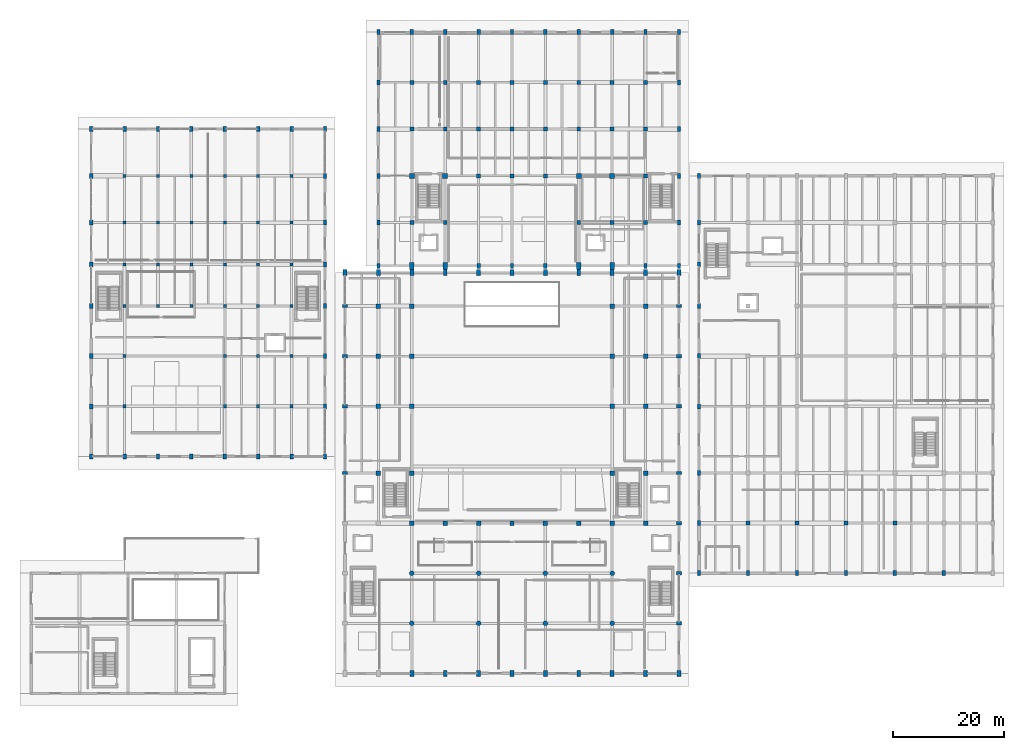
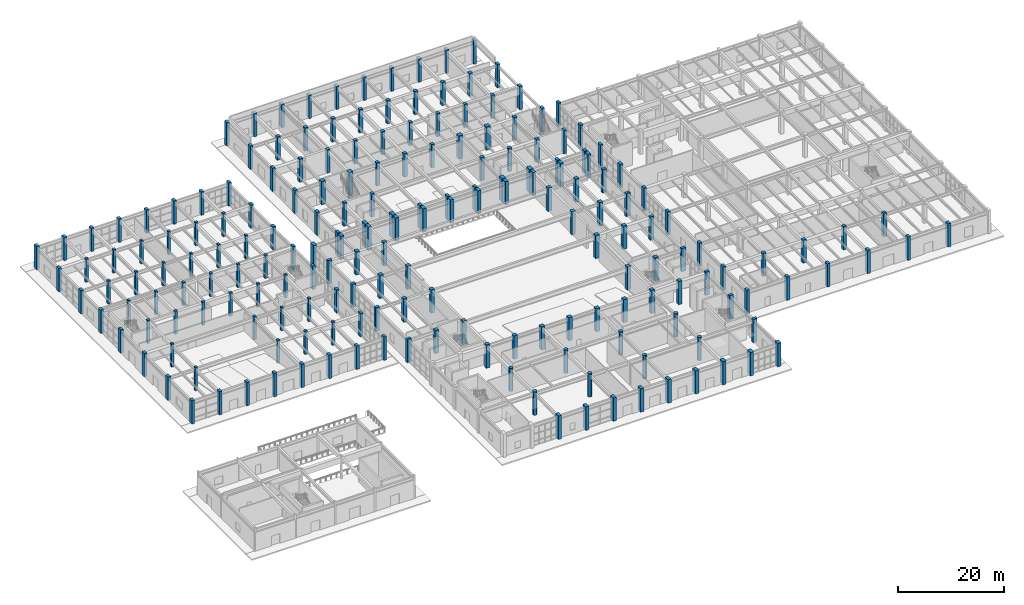
# One storey, part 3 of 91: 198 columns.
"""IFC4 building model written with IfcOpenShell, lengths in metres."""

from ifc_helpers import new_model, si_unit, direction, frame, origin, origin_2d, place, context, subcontext, project, spatial, rectangle, circle, extrude, material, material_profile, profile_set, type_object, element, save


model = new_model("IFC4")

# Units and contexts
model_context = context("Model", 3, precision=1e-05, world=origin(), true_north=direction((0.0, 1.0)))
body_context = subcontext(model_context, "Body", "Model", "MODEL_VIEW")
ifc_project = project(units=[si_unit("LENGTHUNIT", "METRE"), si_unit("AREAUNIT", "SQUARE_METRE"), si_unit("VOLUMEUNIT", "CUBIC_METRE"), si_unit("PLANEANGLEUNIT", "RADIAN"), si_unit("MASSUNIT", "GRAM", prefix="KILO")], contexts=[model_context])

# Site, building, storey
site_placement = place(None, origin())
site = spatial("IfcSite", under=ifc_project, at=site_placement, CompositionType="ELEMENT")
building_placement = place(site_placement, origin())
building = spatial("IfcBuilding", under=site, at=building_placement, Name="Vaelkrest Opera House", CompositionType="ELEMENT")
storey_placement = place(building_placement, origin())
storey = spatial("IfcBuildingStorey", under=building, at=storey_placement, Name="L00", CompositionType="ELEMENT", Elevation=0.0)

# Columns
ifc_material = material(Name="Concrete C50/60", Category="concrete")
ifc_material_profile_1 = material_profile(ifc_material, rectangle(XDim=0.699951171875, YDim=0.699951171875, at=origin_2d()), Name="RC700X700")
ifc_profile_set_1 = profile_set([ifc_material_profile_1], Name="Concrete C50/60")
column_type_1 = type_object("IfcColumnType", Name="C03", PredefinedType="COLUMN", material=ifc_profile_set_1)
for number, where, z_axis, x_axis, name in (
    (1, (-18.0, 25.199951171875, 0.0), (0.0, 0.0, 1.0), (1.0, 0.0, 0.0), "Column COL-V2-L00-0520"),
    (2, (-18.0, 42.0, 0.0), (0.0, 0.0, 1.0), (1.0, 0.0, 0.0), "Column COL-V2-L00-0522"),
    (3, (-18.0, 50.39990234375, 0.0), (0.0, 0.0, 1.0), (1.0, 0.0, 0.0), "Column COL-V2-L00-0523"),
    (4, (-12.0, 25.199951171875, 0.0), (0.0, 0.0, 1.0), (1.0, 0.0, 0.0), "Column COL-V2-L00-0526"),
    (5, (-12.0, 42.0, 0.0), (0.0, 0.0, 1.0), (1.0, 0.0, 0.0), "Column COL-V2-L00-0528"),
    (6, (-12.0, 50.39990234375, 0.0), (0.0, 0.0, 1.0), (1.0, 0.0, 0.0), "Column COL-V2-L00-0529"),
    (7, (-6.0, 33.60009765625, 0.0), (0.0, 0.0, 1.0), (1.0, 0.0, 0.0), "Column COL-V2-L00-0532"),
    (8, (-6.0, 42.0, 0.0), (0.0, 0.0, 1.0), (1.0, 0.0, 0.0), "Column COL-V2-L00-0533"),
    (9, (-6.0, 50.39990234375, 0.0), (0.0, 0.0, 1.0), (1.0, 0.0, 0.0), "Column COL-V2-L00-0534"),
    (10, (0.0, 33.60009765625, 0.0), (0.0, 0.0, 1.0), (1.0, 0.0, 0.0), "Column COL-V2-L00-0537"),
    (11, (0.0, 42.0, 0.0), (0.0, 0.0, 1.0), (1.0, 0.0, 0.0), "Column COL-V2-L00-0538"),
    (12, (0.0, 50.39990234375, 0.0), (0.0, 0.0, 1.0), (1.0, 0.0, 0.0), "Column COL-V2-L00-0539"),
    (13, (6.0, 33.60009765625, 0.0), (0.0, 0.0, 1.0), (1.0, 0.0, 0.0), "Column COL-V2-L00-0542"),
    (14, (6.0, 42.0, 0.0), (0.0, 0.0, 1.0), (1.0, 0.0, 0.0), "Column COL-V2-L00-0543"),
    (15, (6.0, 50.39990234375, 0.0), (0.0, 0.0, 1.0), (1.0, 0.0, 0.0), "Column COL-V2-L00-0544"),
    (16, (12.0, 25.199951171875, 0.0), (0.0, 0.0, 1.0), (1.0, 0.0, 0.0), "Column COL-V2-L00-0547"),
    (17, (12.0, 42.0, 0.0), (0.0, 0.0, 1.0), (1.0, 0.0, 0.0), "Column COL-V2-L00-0549"),
    (18, (12.0, 50.39990234375, 0.0), (0.0, 0.0, 1.0), (1.0, 0.0, 0.0), "Column COL-V2-L00-0550"),
    (19, (18.0, 25.199951171875, 0.0), (0.0, 0.0, 1.0), (1.0, 0.0, 0.0), "Column COL-V2-L00-0553"),
    (20, (18.0, 42.0, 0.0), (0.0, 0.0, 1.0), (1.0, 0.0, 0.0), "Column COL-V2-L00-0555"),
    (21, (18.0, 50.39990234375, 0.0), (0.0, 0.0, 1.0), (1.0, 0.0, 0.0), "Column COL-V2-L00-0556"),
    (22, (24.0, 25.199951171875, 0.0), (0.0, 0.0, 1.0), (1.0, 0.0, 0.0), "Column COL-V2-L00-0559"),
    (23, (24.0, 33.60009765625, 0.0), (0.0, 0.0, 1.0), (1.0, 0.0, 0.0), "Column COL-V2-L00-0560"),
    (24, (24.0, 42.0, 0.0), (0.0, 0.0, 1.0), (1.0, 0.0, 0.0), "Column COL-V2-L00-0561"),
    (25, (24.0, 50.39990234375, 0.0), (0.0, 0.0, 1.0), (1.0, 0.0, 0.0), "Column COL-V2-L00-0562"),
    (26, (42.39990234375, -28.800048828125, 0.0), (0.0, 0.0, 1.0), (1.0, 0.0, 0.0), "Column COL-V4-L00-1191"),
    (27, (51.199951171875, -28.800048828125, 0.0), (0.0, 0.0, 1.0), (1.0, 0.0, 0.0), "Column COL-V4-L00-1200"),
    (28, (60.0, -28.800048828125, 0.0), (0.0, 0.0, 1.0), (1.0, 0.0, 0.0), "Column COL-V4-L00-1209"),
    (29, (68.800048828125, -28.800048828125, 0.0), (0.0, 0.0, 1.0), (1.0, 0.0, 0.0), "Column COL-V4-L00-1216"),
):
    element("IfcColumn", number, at=place(storey_placement, frame(where, z_axis=z_axis, x_axis=x_axis)), inside=storey, type_object=column_type_1, Name=name, PredefinedType="COLUMN", context=body_context, shape_type="SweptSolid", body=[
        extrude(rectangle(XDim=0.699951171875, YDim=0.699951171875, at=origin_2d()), origin(), (0.0, 0.0, 1.0), 5.39990234375),
    ])
ifc_material_profile_2 = material_profile(ifc_material, rectangle(XDim=0.800048828125, YDim=0.800048828125, at=origin_2d()), Name="RC800X800")
ifc_profile_set_2 = profile_set([ifc_material_profile_2], Name="Concrete C50/60")
column_type_2 = type_object("IfcColumnType", Name="C04", PredefinedType="COLUMN", material=ifc_profile_set_2)
for number, where, z_axis, x_axis, name in (
    (30, (-24.0, -19.800048828125, 0.0), (0.0, 0.0, 1.0), (1.0, 0.0, 0.0), "Column COL-V1-L00-0081"),
    (31, (-24.0, -7.800048828125, 0.0), (0.0, 0.0, 1.0), (1.0, 0.0, 0.0), "Column COL-V1-L00-0082"),
    (32, (-24.0, 1.199951171875, 0.0), (0.0, 0.0, 1.0), (1.0, 0.0, 0.0), "Column COL-V1-L00-0083"),
    (33, (-24.0, 10.199951171875, 0.0), (0.0, 0.0, 1.0), (1.0, 0.0, 0.0), "Column COL-V1-L00-0084"),
    (34, (-18.0, -28.800048828125, 0.0), (0.0, 0.0, 1.0), (1.0, 0.0, 0.0), "Column COL-V1-L00-0089"),
    (35, (-18.0, -19.800048828125, 0.0), (0.0, 0.0, 1.0), (1.0, 0.0, 0.0), "Column COL-V1-L00-0090"),
    (36, (-18.0, -7.800048828125, 0.0), (0.0, 0.0, 1.0), (1.0, 0.0, 0.0), "Column COL-V1-L00-0091"),
    (37, (-18.0, 1.199951171875, 0.0), (0.0, 0.0, 1.0), (1.0, 0.0, 0.0), "Column COL-V1-L00-0092"),
    (38, (-18.0, 10.199951171875, 0.0), (0.0, 0.0, 1.0), (1.0, 0.0, 0.0), "Column COL-V1-L00-0093"),
    (39, (-12.0, -28.800048828125, 0.0), (0.0, 0.0, 1.0), (1.0, 0.0, 0.0), "Column COL-V1-L00-0096"),
    (40, (-6.0, -28.800048828125, 0.0), (0.0, 0.0, 1.0), (1.0, 0.0, 0.0), "Column COL-V1-L00-0101"),
    (41, (0.0, -28.800048828125, 0.0), (0.0, 0.0, 1.0), (1.0, 0.0, 0.0), "Column COL-V1-L00-0104"),
    (42, (6.0, -28.800048828125, 0.0), (0.0, 0.0, 1.0), (1.0, 0.0, 0.0), "Column COL-V1-L00-0109"),
    (43, (12.0, -28.800048828125, 0.0), (0.0, 0.0, 1.0), (1.0, 0.0, 0.0), "Column COL-V1-L00-0112"),
    (44, (18.0, -28.800048828125, 0.0), (0.0, 0.0, 1.0), (1.0, 0.0, 0.0), "Column COL-V1-L00-0117"),
    (45, (18.0, -19.800048828125, 0.0), (0.0, 0.0, 1.0), (1.0, 0.0, 0.0), "Column COL-V1-L00-0118"),
    (46, (18.0, -7.800048828125, 0.0), (0.0, 0.0, 1.0), (1.0, 0.0, 0.0), "Column COL-V1-L00-0119"),
    (47, (18.0, 1.199951171875, 0.0), (0.0, 0.0, 1.0), (1.0, 0.0, 0.0), "Column COL-V1-L00-0120"),
    (48, (18.0, 10.199951171875, 0.0), (0.0, 0.0, 1.0), (1.0, 0.0, 0.0), "Column COL-V1-L00-0121"),
    (49, (24.0, -28.800048828125, 0.0), (0.0, 0.0, 1.0), (1.0, 0.0, 0.0), "Column COL-V1-L00-0124"),
    (50, (24.0, -19.800048828125, 0.0), (0.0, 0.0, 1.0), (1.0, 0.0, 0.0), "Column COL-V1-L00-0125"),
    (51, (24.0, -7.800048828125, 0.0), (0.0, 0.0, 1.0), (1.0, 0.0, 0.0), "Column COL-V1-L00-0126"),
    (52, (24.0, 1.199951171875, 0.0), (0.0, 0.0, 1.0), (1.0, 0.0, 0.0), "Column COL-V1-L00-0127"),
    (53, (24.0, 10.199951171875, 0.0), (0.0, 0.0, 1.0), (1.0, 0.0, 0.0), "Column COL-V1-L00-0128"),
):
    element("IfcColumn", number, at=place(storey_placement, frame(where, z_axis=z_axis, x_axis=x_axis)), inside=storey, type_object=column_type_2, Name=name, PredefinedType="COLUMN", context=body_context, shape_type="SweptSolid", body=[
        extrude(rectangle(XDim=0.800048828125, YDim=0.800048828125, at=origin_2d()), origin(), (0.0, 0.0, 1.0), 5.39990234375),
    ])
ifc_material_profile_3 = material_profile(ifc_material, rectangle(XDim=0.89990234375, YDim=0.89990234375, at=origin_2d()), Name="RC900X900")
ifc_profile_set_3 = profile_set([ifc_material_profile_3], Name="Concrete C50/60")
column_type_3 = type_object("IfcColumnType", Name="C05", PredefinedType="COLUMN", material=ifc_profile_set_3)
for number, where, z_axis, x_axis, name in (
    (54, (-18.0, 33.60009765625, 0.0), (0.0, 0.0, 1.0), (1.0, 0.0, 0.0), "Column COL-V2-L00-0521"),
    (55, (-12.0, 33.60009765625, 0.0), (0.0, 0.0, 1.0), (1.0, 0.0, 0.0), "Column COL-V2-L00-0527"),
    (56, (12.0, 33.60009765625, 0.0), (0.0, 0.0, 1.0), (1.0, 0.0, 0.0), "Column COL-V2-L00-0548"),
    (57, (18.0, 33.60009765625, 0.0), (0.0, 0.0, 1.0), (1.0, 0.0, 0.0), "Column COL-V2-L00-0554"),
):
    element("IfcColumn", number, at=place(storey_placement, frame(where, z_axis=z_axis, x_axis=x_axis)), inside=storey, type_object=column_type_3, Name=name, PredefinedType="COLUMN", context=body_context, shape_type="SweptSolid", body=[
        extrude(rectangle(XDim=0.89990234375, YDim=0.89990234375, at=origin_2d()), origin(), (0.0, 0.0, 1.0), 5.39990234375),
    ])
ifc_material_profile_4 = material_profile(ifc_material, rectangle(XDim=0.60009765625, YDim=0.89990234375, at=origin_2d()), Name="RC600X900")
ifc_profile_set_4 = profile_set([ifc_material_profile_4], Name="Concrete C50/60")
column_type_4 = type_object("IfcColumnType", Name="C06", PredefinedType="COLUMN", material=ifc_profile_set_4)
for number, where, z_axis, x_axis, name in (
    (58, (-30.0, -19.800048828125, 0.0), (0.0, 0.0, 1.0), (0.0, 1.0, 0.0), "Column COL-V1-L00-0074"),
    (59, (-30.0, -7.800048828125, 0.0), (0.0, 0.0, 1.0), (0.0, 1.0, 0.0), "Column COL-V1-L00-0075"),
    (60, (-30.0, 1.199951171875, 0.0), (0.0, 0.0, 1.0), (0.0, 1.0, 0.0), "Column COL-V1-L00-0076"),
    (61, (-30.0, 10.199951171875, 0.0), (0.0, 0.0, 1.0), (0.0, 1.0, 0.0), "Column COL-V1-L00-0077"),
    (62, (30.0, -46.800048828125, 0.0), (0.0, 0.0, 1.0), (0.0, 1.0, 0.0), "Column COL-V1-L00-0131"),
    (63, (30.0, -37.800048828125, 0.0), (0.0, 0.0, 1.0), (0.0, 1.0, 0.0), "Column COL-V1-L00-0132"),
    (64, (30.0, -28.800048828125, 0.0), (0.0, 0.0, 1.0), (0.0, 1.0, 0.0), "Column COL-V1-L00-0133"),
    (65, (30.0, -19.800048828125, 0.0), (0.0, 0.0, 1.0), (0.0, 1.0, 0.0), "Column COL-V1-L00-0134"),
    (66, (30.0, -7.800048828125, 0.0), (0.0, 0.0, 1.0), (0.0, 1.0, 0.0), "Column COL-V1-L00-0135"),
    (67, (30.0, 1.199951171875, 0.0), (0.0, 0.0, 1.0), (0.0, 1.0, 0.0), "Column COL-V1-L00-0136"),
    (68, (30.0, 10.199951171875, 0.0), (0.0, 0.0, 1.0), (0.0, 1.0, 0.0), "Column COL-V1-L00-0137"),
    (69, (-24.0, 17.39990234375, 0.0), (0.0, 0.0, 1.0), (1.0, 0.0, 0.0), "Column COL-V2-L00-0513"),
    (70, (-24.0, 25.199951171875, 0.0), (0.0, 0.0, 1.0), (1.0, 0.0, 0.0), "Column COL-V2-L00-0514"),
    (71, (-24.0, 33.60009765625, 0.0), (0.0, 0.0, 1.0), (1.0, 0.0, 0.0), "Column COL-V2-L00-0515"),
    (72, (-24.0, 42.0, 0.0), (0.0, 0.0, 1.0), (1.0, 0.0, 0.0), "Column COL-V2-L00-0516"),
    (73, (-24.0, 50.39990234375, 0.0), (0.0, 0.0, 1.0), (1.0, 0.0, 0.0), "Column COL-V2-L00-0517"),
    (74, (-24.0, 59.39990234375, 0.0), (0.0, 0.0, 1.0), (1.0, 0.0, 0.0), "Column COL-V2-L00-0518"),
    (75, (-18.0, 59.39990234375, 0.0), (0.0, 0.0, 1.0), (1.0, 0.0, 0.0), "Column COL-V2-L00-0524"),
    (76, (-12.0, 59.39990234375, 0.0), (0.0, 0.0, 1.0), (1.0, 0.0, 0.0), "Column COL-V2-L00-0530"),
    (77, (-6.0, 17.39990234375, 0.0), (0.0, 0.0, 1.0), (1.0, 0.0, 0.0), "Column COL-V2-L00-0531"),
    (78, (-6.0, 59.39990234375, 0.0), (0.0, 0.0, 1.0), (1.0, 0.0, 0.0), "Column COL-V2-L00-0535"),
    (79, (0.0, 17.39990234375, 0.0), (0.0, 0.0, 1.0), (1.0, 0.0, 0.0), "Column COL-V2-L00-0536"),
    (80, (0.0, 59.39990234375, 0.0), (0.0, 0.0, 1.0), (1.0, 0.0, 0.0), "Column COL-V2-L00-0540"),
    (81, (6.0, 17.39990234375, 0.0), (0.0, 0.0, 1.0), (1.0, 0.0, 0.0), "Column COL-V2-L00-0541"),
    (82, (6.0, 59.39990234375, 0.0), (0.0, 0.0, 1.0), (1.0, 0.0, 0.0), "Column COL-V2-L00-0545"),
    (83, (12.0, 59.39990234375, 0.0), (0.0, 0.0, 1.0), (1.0, 0.0, 0.0), "Column COL-V2-L00-0551"),
    (84, (18.0, 59.39990234375, 0.0), (0.0, 0.0, 1.0), (1.0, 0.0, 0.0), "Column COL-V2-L00-0557"),
    (85, (24.0, 17.39990234375, 0.0), (0.0, 0.0, 1.0), (1.0, 0.0, 0.0), "Column COL-V2-L00-0558"),
    (86, (24.0, 59.39990234375, 0.0), (0.0, 0.0, 1.0), (1.0, 0.0, 0.0), "Column COL-V2-L00-0563"),
    (87, (30.0, 17.39990234375, 0.0), (0.0, 0.0, 1.0), (1.0, 0.0, 0.0), "Column COL-V2-L00-0564"),
    (88, (30.0, 25.199951171875, 0.0), (0.0, 0.0, 1.0), (1.0, 0.0, 0.0), "Column COL-V2-L00-0565"),
    (89, (30.0, 33.60009765625, 0.0), (0.0, 0.0, 1.0), (1.0, 0.0, 0.0), "Column COL-V2-L00-0566"),
    (90, (30.0, 42.0, 0.0), (0.0, 0.0, 1.0), (1.0, 0.0, 0.0), "Column COL-V2-L00-0567"),
    (91, (30.0, 50.39990234375, 0.0), (0.0, 0.0, 1.0), (1.0, 0.0, 0.0), "Column COL-V2-L00-0568"),
    (92, (30.0, 59.39990234375, 0.0), (0.0, 0.0, 1.0), (1.0, 0.0, 0.0), "Column COL-V2-L00-0569"),
    (93, (-75.60009765625, -16.800048828125, 0.0), (0.0, 0.0, 1.0), (1.0, 0.0, 0.0), "Column COL-V3-L00-0884"),
    (94, (-75.60009765625, -7.800048828125, 0.0), (0.0, 0.0, 1.0), (1.0, 0.0, 0.0), "Column COL-V3-L00-0885"),
    (95, (-75.60009765625, 1.199951171875, 0.0), (0.0, 0.0, 1.0), (1.0, 0.0, 0.0), "Column COL-V3-L00-0886"),
    (96, (-75.60009765625, 10.199951171875, 0.0), (0.0, 0.0, 1.0), (1.0, 0.0, 0.0), "Column COL-V3-L00-0887"),
    (97, (-75.60009765625, 17.699951171875, 0.0), (0.0, 0.0, 1.0), (1.0, 0.0, 0.0), "Column COL-V3-L00-0888"),
    (98, (-75.60009765625, 25.199951171875, 0.0), (0.0, 0.0, 1.0), (1.0, 0.0, 0.0), "Column COL-V3-L00-0889"),
    (99, (-75.60009765625, 33.60009765625, 0.0), (0.0, 0.0, 1.0), (1.0, 0.0, 0.0), "Column COL-V3-L00-0890"),
    (100, (-75.60009765625, 42.0, 0.0), (0.0, 0.0, 1.0), (1.0, 0.0, 0.0), "Column COL-V3-L00-0891"),
    (101, (-69.60009765625, -16.800048828125, 0.0), (0.0, 0.0, 1.0), (1.0, 0.0, 0.0), "Column COL-V3-L00-0892"),
    (102, (-69.60009765625, 42.0, 0.0), (0.0, 0.0, 1.0), (1.0, 0.0, 0.0), "Column COL-V3-L00-0899"),
    (103, (-63.60009765625, -16.800048828125, 0.0), (0.0, 0.0, 1.0), (1.0, 0.0, 0.0), "Column COL-V3-L00-0900"),
    (104, (-63.60009765625, 42.0, 0.0), (0.0, 0.0, 1.0), (1.0, 0.0, 0.0), "Column COL-V3-L00-0905"),
    (105, (-57.60009765625, -16.800048828125, 0.0), (0.0, 0.0, 1.0), (1.0, 0.0, 0.0), "Column COL-V3-L00-0906"),
    (106, (-57.60009765625, 42.0, 0.0), (0.0, 0.0, 1.0), (1.0, 0.0, 0.0), "Column COL-V3-L00-0911"),
    (107, (-51.60009765625, -16.800048828125, 0.0), (0.0, 0.0, 1.0), (1.0, 0.0, 0.0), "Column COL-V3-L00-0912"),
    (108, (-51.60009765625, 42.0, 0.0), (0.0, 0.0, 1.0), (1.0, 0.0, 0.0), "Column COL-V3-L00-0919"),
    (109, (-45.60009765625, -16.800048828125, 0.0), (0.0, 0.0, 1.0), (1.0, 0.0, 0.0), "Column COL-V3-L00-0920"),
    (110, (-45.60009765625, 42.0, 0.0), (0.0, 0.0, 1.0), (1.0, 0.0, 0.0), "Column COL-V3-L00-0927"),
    (111, (-39.60009765625, -16.800048828125, 0.0), (0.0, 0.0, 1.0), (1.0, 0.0, 0.0), "Column COL-V3-L00-0928"),
    (112, (-39.60009765625, 42.0, 0.0), (0.0, 0.0, 1.0), (1.0, 0.0, 0.0), "Column COL-V3-L00-0935"),
    (113, (-33.60009765625, -16.800048828125, 0.0), (0.0, 0.0, 1.0), (1.0, 0.0, 0.0), "Column COL-V3-L00-0936"),
    (114, (-33.60009765625, -7.800048828125, 0.0), (0.0, 0.0, 1.0), (1.0, 0.0, 0.0), "Column COL-V3-L00-0937"),
    (115, (-33.60009765625, 1.199951171875, 0.0), (0.0, 0.0, 1.0), (1.0, 0.0, 0.0), "Column COL-V3-L00-0938"),
    (116, (-33.60009765625, 10.199951171875, 0.0), (0.0, 0.0, 1.0), (1.0, 0.0, 0.0), "Column COL-V3-L00-0939"),
    (117, (-33.60009765625, 17.699951171875, 0.0), (0.0, 0.0, 1.0), (1.0, 0.0, 0.0), "Column COL-V3-L00-0940"),
    (118, (-33.60009765625, 25.199951171875, 0.0), (0.0, 0.0, 1.0), (1.0, 0.0, 0.0), "Column COL-V3-L00-0941"),
    (119, (-33.60009765625, 33.60009765625, 0.0), (0.0, 0.0, 1.0), (1.0, 0.0, 0.0), "Column COL-V3-L00-0942"),
    (120, (-33.60009765625, 42.0, 0.0), (0.0, 0.0, 1.0), (1.0, 0.0, 0.0), "Column COL-V3-L00-0943"),
    (121, (33.60009765625, -37.800048828125, 0.0), (0.0, 0.0, 1.0), (1.0, 0.0, 0.0), "Column COL-V4-L00-1181"),
    (122, (33.60009765625, -28.800048828125, 0.0), (0.0, 0.0, 1.0), (1.0, 0.0, 0.0), "Column COL-V4-L00-1182"),
    (123, (33.60009765625, -19.800048828125, 0.0), (0.0, 0.0, 1.0), (1.0, 0.0, 0.0), "Column COL-V4-L00-1183"),
    (124, (33.60009765625, -7.800048828125, 0.0), (0.0, 0.0, 1.0), (1.0, 0.0, 0.0), "Column COL-V4-L00-1184"),
    (125, (33.60009765625, 1.199951171875, 0.0), (0.0, 0.0, 1.0), (1.0, 0.0, 0.0), "Column COL-V4-L00-1185"),
    (126, (33.60009765625, 10.199951171875, 0.0), (0.0, 0.0, 1.0), (1.0, 0.0, 0.0), "Column COL-V4-L00-1186"),
    (127, (33.60009765625, 17.699951171875, 0.0), (0.0, 0.0, 1.0), (1.0, 0.0, 0.0), "Column COL-V4-L00-1187"),
    (128, (33.60009765625, 25.199951171875, 0.0), (0.0, 0.0, 1.0), (1.0, 0.0, 0.0), "Column COL-V4-L00-1188"),
    (129, (33.60009765625, 33.60009765625, 0.0), (0.0, 0.0, 1.0), (1.0, 0.0, 0.0), "Column COL-V4-L00-1189"),
    (130, (42.39990234375, -37.800048828125, 0.0), (0.0, 0.0, 1.0), (1.0, 0.0, 0.0), "Column COL-V4-L00-1190"),
    (131, (51.199951171875, -37.800048828125, 0.0), (0.0, 0.0, 1.0), (1.0, 0.0, 0.0), "Column COL-V4-L00-1199"),
    (132, (60.0, -37.800048828125, 0.0), (0.0, 0.0, 1.0), (1.0, 0.0, 0.0), "Column COL-V4-L00-1208"),
    (133, (68.800048828125, -37.800048828125, 0.0), (0.0, 0.0, 1.0), (1.0, 0.0, 0.0), "Column COL-V4-L00-1215"),
    (134, (77.60009765625, -37.800048828125, 0.0), (0.0, 0.0, 1.0), (1.0, 0.0, 0.0), "Column COL-V4-L00-1224"),
):
    element("IfcColumn", number, at=place(storey_placement, frame(where, z_axis=z_axis, x_axis=x_axis)), inside=storey, type_object=column_type_4, Name=name, PredefinedType="COLUMN", context=body_context, shape_type="SweptSolid", body=[
        extrude(rectangle(XDim=0.60009765625, YDim=0.89990234375, at=origin_2d()), origin(), (0.0, 0.0, 1.0), 5.39990234375),
    ])
ifc_material_profile_5 = material_profile(ifc_material, rectangle(XDim=0.699951171875, YDim=1.10009765625, at=origin_2d()), Name="RC700X1100")
ifc_profile_set_5 = profile_set([ifc_material_profile_5], Name="Concrete C50/60")
column_type_5 = type_object("IfcColumnType", Name="C07", PredefinedType="COLUMN", material=ifc_profile_set_5)
for number, where, z_axis, x_axis, name in (
    (135, (-30.0, 16.199951171875, 0.0), (0.0, 0.0, 1.0), (1.0, 0.0, 0.0), "Column COL-V1-L00-0078"),
    (136, (-24.0, 16.199951171875, 0.0), (0.0, 0.0, 1.0), (1.0, 0.0, 0.0), "Column COL-V1-L00-0085"),
    (137, (-18.0, -55.800048828125, 0.0), (0.0, 0.0, 1.0), (1.0, 0.0, 0.0), "Column COL-V1-L00-0086"),
    (138, (-18.0, 16.199951171875, 0.0), (0.0, 0.0, 1.0), (1.0, 0.0, 0.0), "Column COL-V1-L00-0094"),
    (139, (-12.0, -55.800048828125, 0.0), (0.0, 0.0, 1.0), (1.0, 0.0, 0.0), "Column COL-V1-L00-0095"),
    (140, (-12.0, 16.199951171875, 0.0), (0.0, 0.0, 1.0), (1.0, 0.0, 0.0), "Column COL-V1-L00-0097"),
    (141, (-6.0, -55.800048828125, 0.0), (0.0, 0.0, 1.0), (1.0, 0.0, 0.0), "Column COL-V1-L00-0098"),
    (142, (-6.0, 16.199951171875, 0.0), (0.0, 0.0, 1.0), (1.0, 0.0, 0.0), "Column COL-V1-L00-0102"),
    (143, (0.0, -55.800048828125, 0.0), (0.0, 0.0, 1.0), (1.0, 0.0, 0.0), "Column COL-V1-L00-0103"),
    (144, (0.0, 16.199951171875, 0.0), (0.0, 0.0, 1.0), (1.0, 0.0, 0.0), "Column COL-V1-L00-0105"),
    (145, (6.0, -55.800048828125, 0.0), (0.0, 0.0, 1.0), (1.0, 0.0, 0.0), "Column COL-V1-L00-0106"),
    (146, (6.0, 16.199951171875, 0.0), (0.0, 0.0, 1.0), (1.0, 0.0, 0.0), "Column COL-V1-L00-0110"),
    (147, (12.0, -55.800048828125, 0.0), (0.0, 0.0, 1.0), (1.0, 0.0, 0.0), "Column COL-V1-L00-0111"),
    (148, (12.0, 16.199951171875, 0.0), (0.0, 0.0, 1.0), (1.0, 0.0, 0.0), "Column COL-V1-L00-0113"),
    (149, (18.0, -55.800048828125, 0.0), (0.0, 0.0, 1.0), (1.0, 0.0, 0.0), "Column COL-V1-L00-0114"),
    (150, (18.0, 16.199951171875, 0.0), (0.0, 0.0, 1.0), (1.0, 0.0, 0.0), "Column COL-V1-L00-0122"),
    (151, (24.0, -55.800048828125, 0.0), (0.0, 0.0, 1.0), (1.0, 0.0, 0.0), "Column COL-V1-L00-0123"),
    (152, (24.0, 16.199951171875, 0.0), (0.0, 0.0, 1.0), (1.0, 0.0, 0.0), "Column COL-V1-L00-0129"),
    (153, (30.0, -55.800048828125, 0.0), (0.0, 0.0, 1.0), (1.0, 0.0, 0.0), "Column COL-V1-L00-0130"),
    (154, (30.0, 16.199951171875, 0.0), (0.0, 0.0, 1.0), (1.0, 0.0, 0.0), "Column COL-V1-L00-0138"),
):
    element("IfcColumn", number, at=place(storey_placement, frame(where, z_axis=z_axis, x_axis=x_axis)), inside=storey, type_object=column_type_5, Name=name, PredefinedType="COLUMN", context=body_context, shape_type="SweptSolid", body=[
        extrude(rectangle(XDim=0.699951171875, YDim=1.10009765625, at=origin_2d()), origin(), (0.0, 0.0, 1.0), 5.39990234375),
    ])
ifc_material_profile_6 = material_profile(ifc_material, rectangle(XDim=0.800048828125, YDim=1.199951171875, at=origin_2d()), Name="RC800X1200")
ifc_profile_set_6 = profile_set([ifc_material_profile_6], Name="Concrete C50/60")
column_type_6 = type_object("IfcColumnType", Name="C08", PredefinedType="COLUMN", material=ifc_profile_set_6)
for number, where, z_axis, x_axis, name in (
    (155, (-18.0, 17.39990234375, 0.0), (0.0, 0.0, 1.0), (1.0, 0.0, 0.0), "Column COL-V2-L00-0519"),
    (156, (-12.0, 17.39990234375, 0.0), (0.0, 0.0, 1.0), (1.0, 0.0, 0.0), "Column COL-V2-L00-0525"),
    (157, (12.0, 17.39990234375, 0.0), (0.0, 0.0, 1.0), (1.0, 0.0, 0.0), "Column COL-V2-L00-0546"),
    (158, (18.0, 17.39990234375, 0.0), (0.0, 0.0, 1.0), (1.0, 0.0, 0.0), "Column COL-V2-L00-0552"),
):
    element("IfcColumn", number, at=place(storey_placement, frame(where, z_axis=z_axis, x_axis=x_axis)), inside=storey, type_object=column_type_6, Name=name, PredefinedType="COLUMN", context=body_context, shape_type="SweptSolid", body=[
        extrude(rectangle(XDim=0.800048828125, YDim=1.199951171875, at=origin_2d()), origin(), (0.0, 0.0, 1.0), 5.39990234375),
    ])
ifc_material_profile_7 = material_profile(ifc_material, circle(Radius=0.425048828125, at=origin_2d()), Name="RCD850")
ifc_profile_set_7 = profile_set([ifc_material_profile_7], Name="Concrete C50/60")
column_type_7 = type_object("IfcColumnType", Name="C10", PredefinedType="COLUMN", material=ifc_profile_set_7)
for number, where, z_axis, x_axis, name in (
    (159, (-18.0, -46.800048828125, 0.0), (0.0, 0.0, 1.0), (1.0, 0.0, 0.0), "Column COL-V1-L00-0087"),
    (160, (-18.0, -37.800048828125, 0.0), (0.0, 0.0, 1.0), (1.0, 0.0, 0.0), "Column COL-V1-L00-0088"),
    (161, (-6.0, -46.800048828125, 0.0), (0.0, 0.0, 1.0), (1.0, 0.0, 0.0), "Column COL-V1-L00-0099"),
    (162, (-6.0, -37.800048828125, 0.0), (0.0, 0.0, 1.0), (1.0, 0.0, 0.0), "Column COL-V1-L00-0100"),
    (163, (6.0, -46.800048828125, 0.0), (0.0, 0.0, 1.0), (1.0, 0.0, 0.0), "Column COL-V1-L00-0107"),
    (164, (6.0, -37.800048828125, 0.0), (0.0, 0.0, 1.0), (1.0, 0.0, 0.0), "Column COL-V1-L00-0108"),
    (165, (18.0, -46.800048828125, 0.0), (0.0, 0.0, 1.0), (1.0, 0.0, 0.0), "Column COL-V1-L00-0115"),
    (166, (18.0, -37.800048828125, 0.0), (0.0, 0.0, 1.0), (1.0, 0.0, 0.0), "Column COL-V1-L00-0116"),
):
    element("IfcColumn", number, at=place(storey_placement, frame(where, z_axis=z_axis, x_axis=x_axis)), inside=storey, type_object=column_type_7, Name=name, PredefinedType="COLUMN", context=body_context, shape_type="SweptSolid", body=[
        extrude(circle(Radius=0.425048828125, at=origin_2d()), origin(), (0.0, 0.0, 1.0), 5.39990234375),
    ])
ifc_material_profile_8 = material_profile(ifc_material, rectangle(XDim=0.550048828125, YDim=0.550048828125, at=origin_2d()), Name="RC550X550")
ifc_profile_set_8 = profile_set([ifc_material_profile_8], Name="Concrete C50/60")
column_type_8 = type_object("IfcColumnType", Name="C13", PredefinedType="COLUMN", material=ifc_profile_set_8)
for number, where, z_axis, x_axis, name in (
    (167, (-69.60009765625, -7.800048828125, 0.0), (0.0, 0.0, 1.0), (1.0, 0.0, 0.0), "Column COL-V3-L00-0893"),
    (168, (-69.60009765625, 1.199951171875, 0.0), (0.0, 0.0, 1.0), (1.0, 0.0, 0.0), "Column COL-V3-L00-0894"),
    (169, (-69.60009765625, 10.199951171875, 0.0), (0.0, 0.0, 1.0), (1.0, 0.0, 0.0), "Column COL-V3-L00-0895"),
    (170, (-69.60009765625, 17.699951171875, 0.0), (0.0, 0.0, 1.0), (1.0, 0.0, 0.0), "Column COL-V3-L00-0896"),
    (171, (-69.60009765625, 25.199951171875, 0.0), (0.0, 0.0, 1.0), (1.0, 0.0, 0.0), "Column COL-V3-L00-0897"),
    (172, (-69.60009765625, 33.60009765625, 0.0), (0.0, 0.0, 1.0), (1.0, 0.0, 0.0), "Column COL-V3-L00-0898"),
    (173, (-63.60009765625, 10.199951171875, 0.0), (0.0, 0.0, 1.0), (1.0, 0.0, 0.0), "Column COL-V3-L00-0901"),
    (174, (-63.60009765625, 17.699951171875, 0.0), (0.0, 0.0, 1.0), (1.0, 0.0, 0.0), "Column COL-V3-L00-0902"),
    (175, (-63.60009765625, 25.199951171875, 0.0), (0.0, 0.0, 1.0), (1.0, 0.0, 0.0), "Column COL-V3-L00-0903"),
    (176, (-63.60009765625, 33.60009765625, 0.0), (0.0, 0.0, 1.0), (1.0, 0.0, 0.0), "Column COL-V3-L00-0904"),
    (177, (-57.60009765625, 10.199951171875, 0.0), (0.0, 0.0, 1.0), (1.0, 0.0, 0.0), "Column COL-V3-L00-0907"),
    (178, (-57.60009765625, 17.699951171875, 0.0), (0.0, 0.0, 1.0), (1.0, 0.0, 0.0), "Column COL-V3-L00-0908"),
    (179, (-57.60009765625, 25.199951171875, 0.0), (0.0, 0.0, 1.0), (1.0, 0.0, 0.0), "Column COL-V3-L00-0909"),
    (180, (-57.60009765625, 33.60009765625, 0.0), (0.0, 0.0, 1.0), (1.0, 0.0, 0.0), "Column COL-V3-L00-0910"),
    (181, (-51.60009765625, -7.800048828125, 0.0), (0.0, 0.0, 1.0), (1.0, 0.0, 0.0), "Column COL-V3-L00-0913"),
    (182, (-51.60009765625, 1.199951171875, 0.0), (0.0, 0.0, 1.0), (1.0, 0.0, 0.0), "Column COL-V3-L00-0914"),
    (183, (-51.60009765625, 10.199951171875, 0.0), (0.0, 0.0, 1.0), (1.0, 0.0, 0.0), "Column COL-V3-L00-0915"),
    (184, (-51.60009765625, 17.699951171875, 0.0), (0.0, 0.0, 1.0), (1.0, 0.0, 0.0), "Column COL-V3-L00-0916"),
    (185, (-51.60009765625, 25.199951171875, 0.0), (0.0, 0.0, 1.0), (1.0, 0.0, 0.0), "Column COL-V3-L00-0917"),
    (186, (-51.60009765625, 33.60009765625, 0.0), (0.0, 0.0, 1.0), (1.0, 0.0, 0.0), "Column COL-V3-L00-0918"),
    (187, (-45.60009765625, -7.800048828125, 0.0), (0.0, 0.0, 1.0), (1.0, 0.0, 0.0), "Column COL-V3-L00-0921"),
    (188, (-45.60009765625, 1.199951171875, 0.0), (0.0, 0.0, 1.0), (1.0, 0.0, 0.0), "Column COL-V3-L00-0922"),
    (189, (-45.60009765625, 10.199951171875, 0.0), (0.0, 0.0, 1.0), (1.0, 0.0, 0.0), "Column COL-V3-L00-0923"),
    (190, (-45.60009765625, 17.699951171875, 0.0), (0.0, 0.0, 1.0), (1.0, 0.0, 0.0), "Column COL-V3-L00-0924"),
    (191, (-45.60009765625, 25.199951171875, 0.0), (0.0, 0.0, 1.0), (1.0, 0.0, 0.0), "Column COL-V3-L00-0925"),
    (192, (-45.60009765625, 33.60009765625, 0.0), (0.0, 0.0, 1.0), (1.0, 0.0, 0.0), "Column COL-V3-L00-0926"),
    (193, (-39.60009765625, -7.800048828125, 0.0), (0.0, 0.0, 1.0), (1.0, 0.0, 0.0), "Column COL-V3-L00-0929"),
    (194, (-39.60009765625, 1.199951171875, 0.0), (0.0, 0.0, 1.0), (1.0, 0.0, 0.0), "Column COL-V3-L00-0930"),
    (195, (-39.60009765625, 10.199951171875, 0.0), (0.0, 0.0, 1.0), (1.0, 0.0, 0.0), "Column COL-V3-L00-0931"),
    (196, (-39.60009765625, 17.699951171875, 0.0), (0.0, 0.0, 1.0), (1.0, 0.0, 0.0), "Column COL-V3-L00-0932"),
    (197, (-39.60009765625, 25.199951171875, 0.0), (0.0, 0.0, 1.0), (1.0, 0.0, 0.0), "Column COL-V3-L00-0933"),
    (198, (-39.60009765625, 33.60009765625, 0.0), (0.0, 0.0, 1.0), (1.0, 0.0, 0.0), "Column COL-V3-L00-0934"),
):
    element("IfcColumn", number, at=place(storey_placement, frame(where, z_axis=z_axis, x_axis=x_axis)), inside=storey, type_object=column_type_8, Name=name, PredefinedType="COLUMN", context=body_context, shape_type="SweptSolid", body=[
        extrude(rectangle(XDim=0.550048828125, YDim=0.550048828125, at=origin_2d()), origin(), (0.0, 0.0, 1.0), 5.39990234375),
    ])

save(model, "model.ifc")
